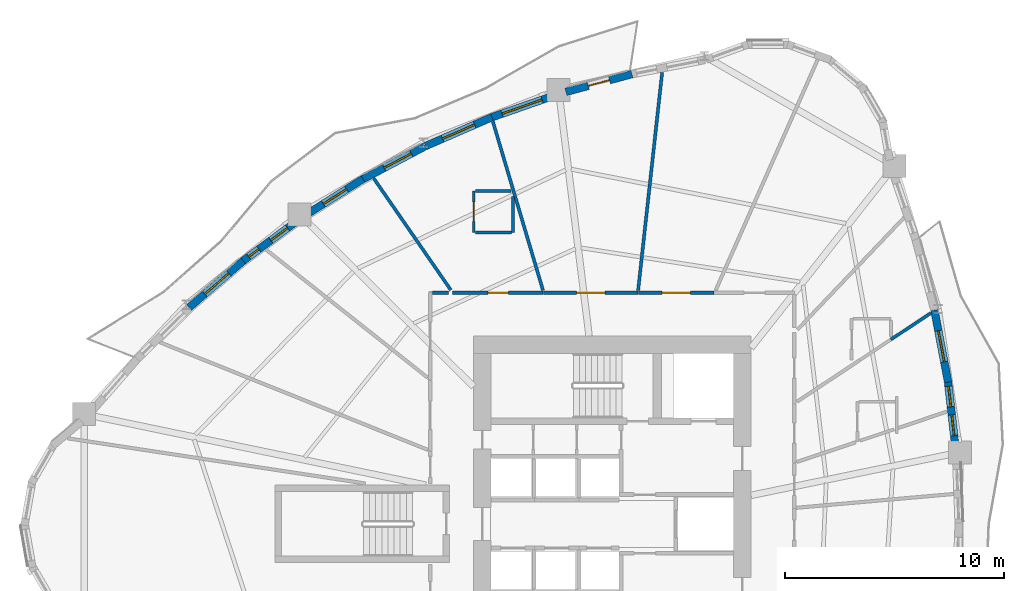
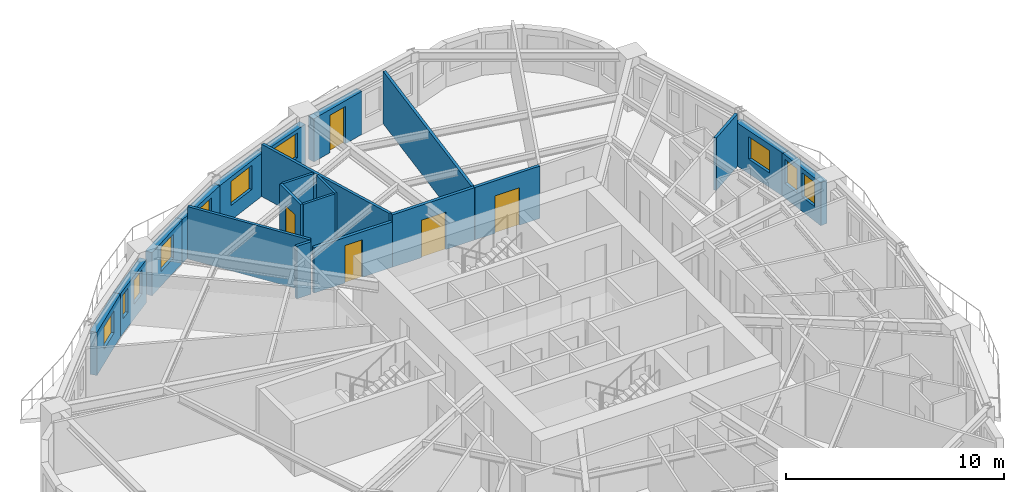
# One storey, part 8 of 13: 21 walls, 10 windows, 5 doors, 15 openings.
"""IFC4 building model written with IfcOpenShell, lengths in metres."""

from ifc_helpers import new_model, si_unit, direction, frame, frame_2d, origin, place, context, subcontext, project, spatial, rectangle, extrude, source, transform, mapped, material, layer, layer_set, type_object, element, fill, save


model = new_model("IFC4")

# Units and contexts
model_context = context("Model", 3, precision=1e-05, world=origin(), true_north=direction((0.0, 1.0)))
body_context = subcontext(model_context, "Body", "Model", "MODEL_VIEW")
ifc_project = project(units=[si_unit("LENGTHUNIT", "METRE"), si_unit("AREAUNIT", "SQUARE_METRE"), si_unit("VOLUMEUNIT", "CUBIC_METRE"), si_unit("PLANEANGLEUNIT", "RADIAN"), si_unit("MASSUNIT", "GRAM", prefix="KILO")], contexts=[model_context])

# Site, building, storey
site_placement = place(None, origin())
site = spatial("IfcSite", under=ifc_project, at=site_placement, CompositionType="ELEMENT")
building_placement = place(site_placement, origin())
building = spatial("IfcBuilding", under=site, at=building_placement, Name="Qafzar Sky-Pleat Residences", CompositionType="ELEMENT")
storey_placement = place(building_placement, frame((0.0, 0.0, 55.800048828125)))
storey = spatial("IfcBuildingStorey", under=building, at=storey_placement, Name="L16", CompositionType="ELEMENT", Elevation=55.800048828125)

# Wall, opening, door
ifc_material_1 = material(Name="Acoustic gypsum plasterboard partition", Category="gypsum")
ifc_layer_1 = layer(ifc_material_1, 0.159912109375)
ifc_layer_set_1 = layer_set([ifc_layer_1], Name="Acoustic gypsum plasterboard partition")
wall_type_1 = type_object("IfcWallType", Name="PART-COR-160", PredefinedType="PARTITIONING", material=ifc_layer_set_1)
wall_1_placement = place(storey_placement, frame((27.19189453125, 36.580078125, 0.0), z_axis=(0.0, 0.0, 1.0), x_axis=(1.0, 0.0, 0.0)))
wall_1 = element("IfcWall", 1, at=wall_1_placement, inside=storey, type_object=wall_type_1, Name="L16 Partition Wall PART-L16-PW-002", PredefinedType="PARTITIONING", context=body_context, shape_type="SweptSolid", body=[
    extrude(rectangle(XDim=4.339111328125, YDim=0.159912109375, at=frame_2d((2.16943359375, 0.0))), origin(), (0.0, 0.0, 1.0), 2.93994140625),
])
opening_1_placement = place(wall_1_placement, frame((1.52001953125, 0.0, 0.0)))
opening_1 = element("IfcOpeningElement", 2, at=opening_1_placement, cuts=wall_1, Name="Opening ID-05", PredefinedType="OPENING", context=body_context, shape_type="SweptSolid", body=[
    extrude(rectangle(XDim=1.300048828125, YDim=2.10009765625, at=frame_2d((0.64990234375, 1.050048828125))), frame((0.0, 0.08984375, 0.0), z_axis=(0.0, -1.0, 0.0), x_axis=(1.0, 0.0, 0.0)), (0.0, 0.0, 1.0), 0.179931640625),
])
ifc_material_2 = material(Name="Timber-faced fire door", Category="wood")
door_type_1 = type_object("IfcDoorType", Name="DR-LNG-1300", OperationType="DOUBLE_DOOR_SINGLE_SWING", PredefinedType="DOOR", material=ifc_material_2)
shared_shape_1 = source(origin(), body_context, "Body", "SweptSolid", [
    extrude(rectangle(XDim=1.300048828125, YDim=2.10009765625, at=frame_2d((0.64990234375, 1.050048828125))), frame((0.0, 0.02490234375, 0.0), z_axis=(0.0, -1.0, 0.0), x_axis=(1.0, 0.0, 0.0)), (0.0, 0.0, 1.0), 0.050048828125),
])
door_1_placement = place(opening_1_placement, origin())
door_1 = element("IfcDoor", 3, at=door_1_placement, inside=storey, type_object=door_type_1, Name="L16 Graduate Lecture Room Door", OperationType="DOUBLE_DOOR_SINGLE_SWING", OverallHeight=2.10009765625, OverallWidth=1.300048828125, PredefinedType="DOOR", context=body_context, shape_type="MappedRepresentation", body=[
    mapped(shared_shape_1, transform((0.0, 0.0, 0.0), x_axis=(1.0, 0.0, 0.0), y_axis=(0.0, 1.0, 0.0), z_axis=(0.0, 0.0, 1.0), scale=1.0)),
])
fill(opening_1, door_1)

wall_2_placement = place(storey_placement, frame((23.02490234375, 36.580078125, 0.0), z_axis=(0.0, 0.0, 1.0), x_axis=(1.0, 0.0, 0.0)))
wall_2 = element("IfcWall", 4, at=wall_2_placement, inside=storey, type_object=wall_type_1, Name="L16 Partition Wall PART-L16-PW-003", PredefinedType="PARTITIONING", context=body_context, shape_type="SweptSolid", body=[
    extrude(rectangle(XDim=4.152099609375, YDim=0.159912109375, at=frame_2d((2.076171875, 0.0))), origin(), (0.0, 0.0, 1.0), 2.5478515625),
])
opening_2_placement = place(wall_2_placement, frame((1.640380859375, 0.0, 0.0)))
opening_2 = element("IfcOpeningElement", 5, at=opening_2_placement, cuts=wall_2, Name="Opening ID-04", PredefinedType="OPENING", context=body_context, shape_type="SweptSolid", body=[
    extrude(rectangle(XDim=0.919921875, YDim=2.10009765625, at=frame_2d((0.4599609375, 1.050048828125))), frame((0.0, 0.08984375, 0.0), z_axis=(0.0, -1.0, 0.0), x_axis=(1.0, 0.0, 0.0)), (0.0, 0.0, 1.0), 0.179931640625),
])
door_type_2 = type_object("IfcDoorType", Name="DR-BED-920", OperationType="NOTDEFINED", PredefinedType="DOOR", material=ifc_material_2)
shared_shape_2 = source(origin(), body_context, "Body", "SweptSolid", [
    extrude(rectangle(XDim=0.919921875, YDim=2.10009765625, at=frame_2d((0.4599609375, 1.050048828125))), frame((0.0, 0.02490234375, 0.0), z_axis=(0.0, -1.0, 0.0), x_axis=(1.0, 0.0, 0.0)), (0.0, 0.0, 1.0), 0.050048828125),
])
door_2_placement = place(opening_2_placement, origin())
door_2 = element("IfcDoor", 6, at=door_2_placement, inside=storey, type_object=door_type_2, Name="L16 Co-Living Bedroom 9 Door", OperationType="SINGLE_SWING_LEFT", OverallHeight=2.10009765625, OverallWidth=0.919921875, PredefinedType="DOOR", context=body_context, shape_type="MappedRepresentation", body=[
    mapped(shared_shape_2, transform((0.0, 0.0, 0.0), x_axis=(1.0, 0.0, 0.0), y_axis=(0.0, 1.0, 0.0), z_axis=(0.0, 0.0, 1.0), scale=1.0)),
])
fill(opening_2, door_2)

wall_3_placement = place(storey_placement, frame((31.5458984375, 36.580078125, 0.0), z_axis=(0.0, 0.0, 1.0), x_axis=(1.0, 0.0, 0.0)))
wall_3 = element("IfcWall", 7, at=wall_3_placement, inside=storey, type_object=wall_type_1, Name="L16 Partition Wall PART-L16-PW-006", PredefinedType="PARTITIONING", context=body_context, shape_type="SweptSolid", body=[
    extrude(rectangle(XDim=3.4501953125, YDim=0.159912109375, at=frame_2d((1.72509765625, 0.0))), origin(), (0.0, 0.0, 1.0), 2.93994140625),
])
opening_3_placement = place(wall_3_placement, frame((1.075439453125, 0.0, 0.0)))
opening_3 = element("IfcOpeningElement", 8, at=opening_3_placement, cuts=wall_3, Name="Opening ID-05", PredefinedType="OPENING", context=body_context, shape_type="SweptSolid", body=[
    extrude(rectangle(XDim=1.300048828125, YDim=2.10009765625, at=frame_2d((0.64990234375, 1.050048828125))), frame((0.0, 0.08984375, 0.0), z_axis=(0.0, -1.0, 0.0), x_axis=(1.0, 0.0, 0.0)), (0.0, 0.0, 1.0), 0.179931640625),
])
door_3_placement = place(opening_3_placement, origin())
door_3 = element("IfcDoor", 9, at=door_3_placement, inside=storey, type_object=door_type_1, Name="L16 Research Conference Room Door", OperationType="DOUBLE_DOOR_SINGLE_SWING", OverallHeight=2.10009765625, OverallWidth=1.300048828125, PredefinedType="DOOR", context=body_context, shape_type="MappedRepresentation", body=[
    mapped(shared_shape_1, transform((0.0, 0.0, 0.0), x_axis=(1.0, 0.0, 0.0), y_axis=(0.0, 1.0, 0.0), z_axis=(0.0, 0.0, 1.0), scale=1.0)),
])
fill(opening_3, door_3)

# Walls
wall_4_placement = place(storey_placement, frame((22.10791015625, 36.580078125, 0.0), z_axis=(0.0, 0.0, 1.0), x_axis=(1.0, 0.0, 0.0)))
element("IfcWall", 10, at=wall_4_placement, inside=storey, type_object=wall_type_1, Name="L16 Partition Wall PART-L16-PW-082", PredefinedType="PARTITIONING", context=body_context, shape_type="SweptSolid", body=[
    extrude(rectangle(XDim=0.750732421875, YDim=0.159912109375, at=frame_2d((0.37548828125, 0.0))), origin(), (0.0, 0.0, 1.0), 2.93994140625),
])
ifc_layer_2 = layer(ifc_material_1, 0.14501953125)
ifc_layer_set_2 = layer_set([ifc_layer_2], Name="Acoustic gypsum plasterboard partition")
wall_type_2 = type_object("IfcWallType", Name="PART-UNIT-145", PredefinedType="PARTITIONING", material=ifc_layer_set_2)
wall_5_placement = place(storey_placement, frame((31.526611328125, 36.67578125, 0.0), z_axis=(0.0, 0.0, 1.0), x_axis=(0.109575491405, 0.993978476469, 0.0)))
element("IfcWall", 11, at=wall_5_placement, inside=storey, type_object=wall_type_2, Name="L16 Partition Wall PART-L16-PW-037", PredefinedType="PARTITIONING", context=body_context, shape_type="SweptSolid", body=[
    extrude(rectangle(XDim=10.048583984375, YDim=0.14501953125, at=frame_2d((5.0244140625, 0.0))), origin(), (0.0, 0.0, 1.0), 2.93994140625),
])
wall_6_placement = place(storey_placement, frame((24.87939453125, 44.42236328125, 0.0), z_axis=(0.0, 0.0, 1.0), x_axis=(0.284634354208, -0.958636158511, 0.0)))
element("IfcWall", 12, at=wall_6_placement, inside=storey, type_object=wall_type_2, Name="L16 Partition Wall PART-L16-PW-043", PredefinedType="PARTITIONING", context=body_context, shape_type="SweptSolid", body=[
    extrude(rectangle(XDim=8.06787109375, YDim=0.14501953125, at=frame_2d((4.033935546875, 0.0))), origin(), (0.0, 0.0, 1.0), 2.93994140625),
])
wall_7_placement = place(storey_placement, frame((19.42333984375, 41.82275390625, 0.0), z_axis=(0.0, 0.0, 1.0), x_axis=(0.568159686118, -0.822918325881, 0.0)))
element("IfcWall", 13, at=wall_7_placement, inside=storey, type_object=wall_type_2, Name="L16 Partition Wall PART-L16-PW-048", PredefinedType="PARTITIONING", context=body_context, shape_type="SweptSolid", body=[
    extrude(rectangle(XDim=6.215576171875, YDim=0.14501953125, at=frame_2d((3.10791015625, 0.0))), origin(), (0.0, 0.0, 1.0), 2.93994140625),
])
wall_8_placement = place(storey_placement, frame((43.093994140625, 34.43896484375, 0.0), z_axis=(0.0, 0.0, 1.0), x_axis=(0.833690342454, 0.552232209219, 0.0)))
element("IfcWall", 14, at=wall_8_placement, inside=storey, type_object=wall_type_2, Name="L16 Partition Wall PART-L16-PW-059", PredefinedType="PARTITIONING", context=body_context, shape_type="SweptSolid", body=[
    extrude(rectangle(XDim=2.193603515625, YDim=0.14501953125, at=frame_2d((1.0966796875, 0.0))), origin(), (0.0, 0.0, 1.0), 2.93994140625),
])

# Wall, opening, door
ifc_material_3 = material(Name="Moisture-resistant gypsum partition", Category="gypsum")
ifc_layer_3 = layer(ifc_material_3, 0.1298828125)
ifc_layer_set_3 = layer_set([ifc_layer_3], Name="Moisture-resistant gypsum partition")
wall_type_3 = type_object("IfcWallType", Name="PART-WET-130", PredefinedType="PARTITIONING", material=ifc_layer_set_3)
wall_9_placement = place(storey_placement, frame((24.0029296875, 41.23388671875, 0.0), z_axis=(0.0, 0.0, 1.0), x_axis=(0.0, -1.0, 0.0)))
wall_9 = element("IfcWall", 15, at=wall_9_placement, inside=storey, type_object=wall_type_3, Name="L16 Partition Wall PART-L16-PW-024", PredefinedType="PARTITIONING", context=body_context, shape_type="SweptSolid", body=[
    extrude(rectangle(XDim=1.89990234375, YDim=0.1298828125, at=frame_2d((0.949951171875, 0.0))), origin(), (0.0, 0.0, 1.0), 2.93994140625),
])
opening_4_placement = place(wall_9_placement, frame((0.510009765625, 0.0, 0.0)))
opening_4 = element("IfcOpeningElement", 16, at=opening_4_placement, cuts=wall_9, Name="Opening ID-07", PredefinedType="OPENING", context=body_context, shape_type="SweptSolid", body=[
    extrude(rectangle(XDim=0.8798828125, YDim=2.050048828125, at=frame_2d((0.43994140625, 1.02490234375))), frame((0.0, 0.074951171875, 0.0), z_axis=(0.0, -1.0, 0.0), x_axis=(1.0, 0.0, 0.0)), (0.0, 0.0, 1.0), 0.14990234375),
])
door_type_3 = type_object("IfcDoorType", Name="DR-WET-880", OperationType="NOTDEFINED", PredefinedType="DOOR", material=ifc_material_2)
shared_shape_3 = source(origin(), body_context, "Body", "SweptSolid", [
    extrude(rectangle(XDim=0.8798828125, YDim=2.050048828125, at=frame_2d((0.43994140625, 1.02490234375))), frame((0.0, 0.02490234375, 0.0), z_axis=(0.0, -1.0, 0.0), x_axis=(1.0, 0.0, 0.0)), (0.0, 0.0, 1.0), 0.050048828125),
])
door_4_placement = place(opening_4_placement, origin())
door_4 = element("IfcDoor", 17, at=door_4_placement, inside=storey, type_object=door_type_3, Name="L16 En-suite Bathroom 9 Door", OperationType="SINGLE_SWING_RIGHT", OverallHeight=2.050048828125, OverallWidth=0.8798828125, PredefinedType="DOOR", context=body_context, shape_type="MappedRepresentation", body=[
    mapped(shared_shape_3, transform((0.0, 0.0, 0.0), x_axis=(1.0, 0.0, 0.0), y_axis=(0.0, 1.0, 0.0), z_axis=(0.0, 0.0, 1.0), scale=1.0)),
])
fill(opening_4, door_4)

# Walls
wall_10_placement = place(storey_placement, frame((25.802978515625, 39.333984375, 0.0), z_axis=(0.0, 0.0, 1.0), x_axis=(0.0, 1.0, 0.0)))
element("IfcWall", 18, at=wall_10_placement, inside=storey, type_object=wall_type_3, Name="L16 Partition Wall PART-L16-PW-061", PredefinedType="PARTITIONING", context=body_context, shape_type="SweptSolid", body=[
    extrude(rectangle(XDim=1.659912109375, YDim=0.1298828125, at=frame_2d((0.830078125, 0.0))), origin(), (0.0, 0.0, 1.0), 2.93994140625),
])
wall_11_placement = place(storey_placement, frame((24.075927734375, 41.23388671875, 0.0), z_axis=(0.0, 0.0, 1.0), x_axis=(1.0, 0.0, 0.0)))
element("IfcWall", 19, at=wall_11_placement, inside=storey, type_object=wall_type_3, Name="L16 Partition Wall PART-L16-PW-066", PredefinedType="PARTITIONING", context=body_context, shape_type="SweptSolid", body=[
    extrude(rectangle(XDim=1.624267578125, YDim=0.1298828125, at=frame_2d((0.81201171875, 0.0))), origin(), (0.0, 0.0, 1.0), 2.93994140625),
])
wall_12_placement = place(storey_placement, frame((24.075927734375, 39.333984375, 0.0), z_axis=(0.0, 0.0, 1.0), x_axis=(1.0, 0.0, 0.0)))
element("IfcWall", 20, at=wall_12_placement, inside=storey, type_object=wall_type_3, Name="L16 Partition Wall PART-L16-PW-067", PredefinedType="PARTITIONING", context=body_context, shape_type="SweptSolid", body=[
    extrude(rectangle(XDim=1.654052734375, YDim=0.1298828125, at=frame_2d((0.8271484375, 0.0))), origin(), (0.0, 0.0, 1.0), 2.93994140625),
])

# Wall, openings, windows
ifc_material_4 = material(Name="Precast concrete C40/50 with honed Riyadh limestone", Category="concrete")
ifc_layer_4 = layer(ifc_material_4, 0.35009765625)
ifc_layer_set_4 = layer_set([ifc_layer_4], Name="Precast concrete C40/50 with honed Riyadh limestone")
wall_type_4 = type_object("IfcWallType", Name="WALL-EXT-350", PredefinedType="SOLIDWALL", material=ifc_layer_set_4)
wall_13_placement = place(storey_placement, frame((46.044189453125, 29.55615234375, 0.0), z_axis=(0.0, 0.0, 1.0), x_axis=(-0.113263196818, 0.993565019637, 0.0)))
wall_13 = element("IfcWall", 21, at=wall_13_placement, inside=storey, type_object=wall_type_4, Name="L16 Limestone Facade Wall 29", PredefinedType="SOLIDWALL", context=body_context, shape_type="SweptSolid", body=[
    extrude(rectangle(XDim=3.037109375, YDim=0.35009765625, at=frame_2d((1.5185546875, 0.0))), origin(), (0.0, 0.0, 1.0), 2.419921875),
])
opening_5_placement = place(wall_13_placement, frame((0.492431640625, 0.0, 0.820068359375)))
opening_5 = element("IfcOpeningElement", 22, at=opening_5_placement, cuts=wall_13, Name="Opening WN-12", PredefinedType="OPENING", context=body_context, shape_type="SweptSolid", body=[
    extrude(rectangle(XDim=0.949951171875, YDim=1.35009765625, at=frame_2d((0.47509765625, 0.675048828125))), frame((0.0, 0.18505859375, 0.0), z_axis=(0.0, -1.0, 0.0), x_axis=(1.0, 0.0, 0.0)), (0.0, 0.0, 1.0), 0.3701171875),
])
opening_6_placement = place(wall_13_placement, frame((1.816162109375, 0.0, 0.820068359375)))
opening_6 = element("IfcOpeningElement", 23, at=opening_6_placement, cuts=wall_13, Name="Opening WN-12", PredefinedType="OPENING", context=body_context, shape_type="SweptSolid", body=[
    extrude(rectangle(XDim=0.949951171875, YDim=1.35009765625, at=frame_2d((0.47509765625, 0.675048828125))), frame((0.0, 0.18505859375, 0.0), z_axis=(0.0, -1.0, 0.0), x_axis=(1.0, 0.0, 0.0)), (0.0, 0.0, 1.0), 0.3701171875),
])
ifc_material_5 = material(Name="Solar-control low-E glass in bronze aluminium frame", Category="glass")
window_type_1 = type_object("IfcWindowType", Name="WIN-12", PartitioningType="SINGLE_PANEL", PredefinedType="WINDOW", material=ifc_material_5)
shared_shape_4 = source(origin(), body_context, "Body", "SweptSolid", [
    extrude(rectangle(XDim=0.949951171875, YDim=1.35009765625, at=frame_2d((0.47509765625, 0.675048828125))), frame((0.0, 0.030029296875, 0.0), z_axis=(0.0, -1.0, 0.0), x_axis=(1.0, 0.0, 0.0)), (0.0, 0.0, 1.0), 0.06005859375),
])
window_1_placement = place(opening_5_placement, origin())
window_1 = element("IfcWindow", 24, at=window_1_placement, inside=storey, type_object=window_type_1, Name="L16 Punched Facade Window 29", OverallHeight=1.35009765625, OverallWidth=0.949951171875, PartitioningType="SINGLE_PANEL", PredefinedType="WINDOW", context=body_context, shape_type="MappedRepresentation", body=[
    mapped(shared_shape_4, transform((0.0, 0.0, 0.0), x_axis=(1.0, 0.0, 0.0), y_axis=(0.0, 1.0, 0.0), z_axis=(0.0, 0.0, 1.0), scale=1.0)),
])
fill(opening_5, window_1)
window_2_placement = place(opening_6_placement, origin())
window_2 = element("IfcWindow", 25, at=window_2_placement, inside=storey, type_object=window_type_1, Name="L16 Punched Facade Window 29-2", OverallHeight=1.35009765625, OverallWidth=0.949951171875, PartitioningType="SINGLE_PANEL", PredefinedType="WINDOW", context=body_context, shape_type="MappedRepresentation", body=[
    mapped(shared_shape_4, transform((0.0, 0.0, 0.0), x_axis=(1.0, 0.0, 0.0), y_axis=(0.0, 1.0, 0.0), z_axis=(0.0, 0.0, 1.0), scale=1.0)),
])
fill(opening_6, window_2)

# Wall, opening, window
wall_14_placement = place(storey_placement, frame((45.71337890625, 32.48583984375, 0.0), z_axis=(0.0, 0.0, 1.0), x_axis=(-0.186603748992, 0.982435260392, 0.0)))
wall_14 = element("IfcWall", 26, at=wall_14_placement, inside=storey, type_object=wall_type_4, Name="L16 Limestone Facade Wall 30", PredefinedType="SOLIDWALL", context=body_context, shape_type="SweptSolid", body=[
    extrude(rectangle(XDim=3.3544921875, YDim=0.35009765625, at=frame_2d((1.67724609375, 0.0))), origin(), (0.0, 0.0, 1.0), 2.419921875),
])
opening_7_placement = place(wall_14_placement, frame((0.94775390625, 0.0, 0.820068359375)))
opening_7 = element("IfcOpeningElement", 27, at=opening_7_placement, cuts=wall_14, Name="Opening WN-15", PredefinedType="OPENING", context=body_context, shape_type="SweptSolid", body=[
    extrude(rectangle(XDim=1.449951171875, YDim=1.25, at=frame_2d((0.72509765625, 0.625))), frame((0.0, 0.18505859375, 0.0), z_axis=(0.0, -1.0, 0.0), x_axis=(1.0, 0.0, 0.0)), (0.0, 0.0, 1.0), 0.3701171875),
])
window_type_2 = type_object("IfcWindowType", Name="WIN-15", PartitioningType="SINGLE_PANEL", PredefinedType="WINDOW", material=ifc_material_5)
shared_shape_5 = source(origin(), body_context, "Body", "SweptSolid", [
    extrude(rectangle(XDim=1.449951171875, YDim=1.25, at=frame_2d((0.72509765625, 0.625))), frame((0.0, 0.030029296875, 0.0), z_axis=(0.0, -1.0, 0.0), x_axis=(1.0, 0.0, 0.0)), (0.0, 0.0, 1.0), 0.06005859375),
])
window_3_placement = place(opening_7_placement, origin())
window_3 = element("IfcWindow", 28, at=window_3_placement, inside=storey, type_object=window_type_2, Name="L16 Punched Facade Window 30", OverallHeight=1.25, OverallWidth=1.449951171875, PartitioningType="SINGLE_PANEL", PredefinedType="WINDOW", context=body_context, shape_type="MappedRepresentation", body=[
    mapped(shared_shape_5, transform((0.0, 0.0, 0.0), x_axis=(1.0, 0.0, 0.0), y_axis=(0.0, 1.0, 0.0), z_axis=(0.0, 0.0, 1.0), scale=1.0)),
])
fill(opening_7, window_3)

# Wall, opening, door
wall_15_placement = place(storey_placement, frame((31.24560546875, 46.585205078125, 0.0), z_axis=(0.0, 0.0, 1.0), x_axis=(-0.965469506164, -0.260516089076, 0.0)))
wall_15 = element("IfcWall", 29, at=wall_15_placement, inside=storey, type_object=wall_type_4, Name="L16 Limestone Facade Wall 40", PredefinedType="SOLIDWALL", context=body_context, shape_type="SweptSolid", body=[
    extrude(rectangle(XDim=3.130126953125, YDim=0.35009765625, at=frame_2d((1.56494140625, 0.0))), origin(), (0.0, 0.0, 1.0), 2.419921875),
])
opening_8_placement = place(wall_15_placement, frame((1.06494140625, 0.0, 0.0)))
opening_8 = element("IfcOpeningElement", 30, at=opening_8_placement, cuts=wall_15, Name="Opening ED-05", PredefinedType="OPENING", context=body_context, shape_type="SweptSolid", body=[
    extrude(rectangle(XDim=1.0, YDim=2.10009765625, at=frame_2d((0.5, 1.050048828125))), frame((0.0, 0.18505859375, 0.0), z_axis=(0.0, -1.0, 0.0), x_axis=(1.0, 0.0, 0.0)), (0.0, 0.0, 1.0), 0.3701171875),
])
ifc_material_6 = material(Name="Glazed bronze aluminium door", Category="aluminium")
door_type_4 = type_object("IfcDoorType", Name="DR-BAL-1000", OperationType="NOTDEFINED", PredefinedType="DOOR", material=ifc_material_6)
shared_shape_6 = source(origin(), body_context, "Body", "SweptSolid", [
    extrude(rectangle(XDim=1.0, YDim=2.10009765625, at=frame_2d((0.5, 1.050048828125))), frame((0.0, 0.02490234375, 0.0), z_axis=(0.0, -1.0, 0.0), x_axis=(1.0, 0.0, 0.0)), (0.0, 0.0, 1.0), 0.050048828125),
])
door_5_placement = place(opening_8_placement, origin())
door_5 = element("IfcDoor", 31, at=door_5_placement, inside=storey, type_object=door_type_4, Name="L16 Glazed Balcony Door 2", OperationType="SINGLE_SWING_LEFT", OverallHeight=2.10009765625, OverallWidth=1.0, PredefinedType="DOOR", context=body_context, shape_type="MappedRepresentation", body=[
    mapped(shared_shape_6, transform((0.0, 0.0, 0.0), x_axis=(1.0, 0.0, 0.0), y_axis=(0.0, 1.0, 0.0), z_axis=(0.0, 0.0, 1.0), scale=1.0)),
])
fill(opening_8, door_5)

# Wall, opening, window
wall_16_placement = place(storey_placement, frame((27.662841796875, 45.596435546875, 0.0), z_axis=(0.0, 0.0, 1.0), x_axis=(-0.944134113087, -0.329561491236, 0.0)))
wall_16 = element("IfcWall", 32, at=wall_16_placement, inside=storey, type_object=wall_type_4, Name="L16 Limestone Facade Wall 41", PredefinedType="SOLIDWALL", context=body_context, shape_type="SweptSolid", body=[
    extrude(rectangle(XDim=3.07421875, YDim=0.35009765625, at=frame_2d((1.537109375, 0.0))), origin(), (0.0, 0.0, 1.0), 2.419921875),
])
opening_9_placement = place(wall_16_placement, frame((0.557373046875, 0.0, 0.820068359375)))
opening_9 = element("IfcOpeningElement", 33, at=opening_9_placement, cuts=wall_16, Name="Opening WN-08", PredefinedType="OPENING", context=body_context, shape_type="SweptSolid", body=[
    extrude(rectangle(XDim=1.949951171875, YDim=1.39990234375, at=frame_2d((0.97509765625, 0.699951171875))), frame((0.0, 0.18505859375, 0.0), z_axis=(0.0, -1.0, 0.0), x_axis=(1.0, 0.0, 0.0)), (0.0, 0.0, 1.0), 0.3701171875),
])
window_type_3 = type_object("IfcWindowType", Name="WIN-08", PartitioningType="DOUBLE_PANEL_VERTICAL", PredefinedType="WINDOW", material=ifc_material_5)
shared_shape_7 = source(origin(), body_context, "Body", "SweptSolid", [
    extrude(rectangle(XDim=1.949951171875, YDim=1.39990234375, at=frame_2d((0.97509765625, 0.699951171875))), frame((0.0, 0.030029296875, 0.0), z_axis=(0.0, -1.0, 0.0), x_axis=(1.0, 0.0, 0.0)), (0.0, 0.0, 1.0), 0.06005859375),
])
window_4_placement = place(opening_9_placement, origin())
window_4 = element("IfcWindow", 34, at=window_4_placement, inside=storey, type_object=window_type_3, Name="L16 Punched Facade Window 41", OverallHeight=1.39990234375, OverallWidth=1.949951171875, PartitioningType="SINGLE_PANEL", PredefinedType="WINDOW", context=body_context, shape_type="MappedRepresentation", body=[
    mapped(shared_shape_7, transform((0.0, 0.0, 0.0), x_axis=(1.0, 0.0, 0.0), y_axis=(0.0, 1.0, 0.0), z_axis=(0.0, 0.0, 1.0), scale=1.0)),
])
fill(opening_9, window_4)

wall_17_placement = place(storey_placement, frame((24.843017578125, 44.615478515625, 0.0), z_axis=(0.0, 0.0, 1.0), x_axis=(-0.917119193404, -0.398613076918, 0.0)))
wall_17 = element("IfcWall", 35, at=wall_17_placement, inside=storey, type_object=wall_type_4, Name="L16 Limestone Facade Wall 42", PredefinedType="SOLIDWALL", context=body_context, shape_type="SweptSolid", body=[
    extrude(rectangle(XDim=3.317138671875, YDim=0.35009765625, at=frame_2d((1.65869140625, 0.0))), origin(), (0.0, 0.0, 1.0), 2.419921875),
])
opening_10_placement = place(wall_17_placement, frame((0.86865234375, 0.0, 0.820068359375)))
opening_10 = element("IfcOpeningElement", 36, at=opening_10_placement, cuts=wall_17, Name="Opening WN-09", PredefinedType="OPENING", context=body_context, shape_type="SweptSolid", body=[
    extrude(rectangle(XDim=1.60009765625, YDim=1.35009765625, at=frame_2d((0.800048828125, 0.675048828125))), frame((0.0, 0.18505859375, 0.0), z_axis=(0.0, -1.0, 0.0), x_axis=(1.0, 0.0, 0.0)), (0.0, 0.0, 1.0), 0.3701171875),
])
window_type_4 = type_object("IfcWindowType", Name="WIN-09", PartitioningType="DOUBLE_PANEL_VERTICAL", PredefinedType="WINDOW", material=ifc_material_5)
shared_shape_8 = source(origin(), body_context, "Body", "SweptSolid", [
    extrude(rectangle(XDim=1.60009765625, YDim=1.35009765625, at=frame_2d((0.800048828125, 0.675048828125))), frame((0.0, 0.030029296875, 0.0), z_axis=(0.0, -1.0, 0.0), x_axis=(1.0, 0.0, 0.0)), (0.0, 0.0, 1.0), 0.06005859375),
])
window_5_placement = place(opening_10_placement, origin())
window_5 = element("IfcWindow", 37, at=window_5_placement, inside=storey, type_object=window_type_4, Name="L16 Punched Facade Window 42", OverallHeight=1.35009765625, OverallWidth=1.60009765625, PartitioningType="SINGLE_PANEL", PredefinedType="WINDOW", context=body_context, shape_type="MappedRepresentation", body=[
    mapped(shared_shape_8, transform((0.0, 0.0, 0.0), x_axis=(1.0, 0.0, 0.0), y_axis=(0.0, 1.0, 0.0), z_axis=(0.0, 0.0, 1.0), scale=1.0)),
])
fill(opening_10, window_5)

wall_18_placement = place(storey_placement, frame((21.77685546875, 43.281494140625, 0.0), z_axis=(0.0, 0.0, 1.0), x_axis=(-0.884381357857, -0.466765052113, 0.0)))
wall_18 = element("IfcWall", 38, at=wall_18_placement, inside=storey, type_object=wall_type_4, Name="L16 Limestone Facade Wall 43", PredefinedType="SOLIDWALL", context=body_context, shape_type="SweptSolid", body=[
    extrude(rectangle(XDim=3.29833984375, YDim=0.35009765625, at=frame_2d((1.649169921875, 0.0))), origin(), (0.0, 0.0, 1.0), 2.419921875),
])
opening_11_placement = place(wall_18_placement, frame((0.712646484375, 0.0, 0.820068359375)))
opening_11 = element("IfcOpeningElement", 39, at=opening_11_placement, cuts=wall_18, Name="Opening WN-10", PredefinedType="OPENING", context=body_context, shape_type="SweptSolid", body=[
    extrude(rectangle(XDim=1.39990234375, YDim=1.35009765625, at=frame_2d((0.699951171875, 0.675048828125))), frame((0.0, 0.18505859375, 0.0), z_axis=(0.0, -1.0, 0.0), x_axis=(1.0, 0.0, 0.0)), (0.0, 0.0, 1.0), 0.3701171875),
])
window_type_5 = type_object("IfcWindowType", Name="WIN-10", PartitioningType="SINGLE_PANEL", PredefinedType="WINDOW", material=ifc_material_5)
shared_shape_9 = source(origin(), body_context, "Body", "SweptSolid", [
    extrude(rectangle(XDim=1.39990234375, YDim=1.35009765625, at=frame_2d((0.699951171875, 0.675048828125))), frame((0.0, 0.030029296875, 0.0), z_axis=(0.0, -1.0, 0.0), x_axis=(1.0, 0.0, 0.0)), (0.0, 0.0, 1.0), 0.06005859375),
])
window_6_placement = place(opening_11_placement, origin())
window_6 = element("IfcWindow", 40, at=window_6_placement, inside=storey, type_object=window_type_5, Name="L16 Punched Facade Window 43", OverallHeight=1.35009765625, OverallWidth=1.39990234375, PartitioningType="SINGLE_PANEL", PredefinedType="WINDOW", context=body_context, shape_type="MappedRepresentation", body=[
    mapped(shared_shape_9, transform((0.0, 0.0, 0.0), x_axis=(1.0, 0.0, 0.0), y_axis=(0.0, 1.0, 0.0), z_axis=(0.0, 0.0, 1.0), scale=1.0)),
])
fill(opening_11, window_6)

wall_19_placement = place(storey_placement, frame((18.93701171875, 41.78662109375, 0.0), z_axis=(0.0, 0.0, 1.0), x_axis=(-0.84639489148, -0.532555807101, 0.0)))
wall_19 = element("IfcWall", 41, at=wall_19_placement, inside=storey, type_object=wall_type_4, Name="L16 Limestone Facade Wall 44", PredefinedType="SOLIDWALL", context=body_context, shape_type="SweptSolid", body=[
    extrude(rectangle(XDim=3.018310546875, YDim=0.35009765625, at=frame_2d((1.50927734375, 0.0))), origin(), (0.0, 0.0, 1.0), 2.419921875),
])
opening_12_placement = place(wall_19_placement, frame((0.88916015625, 0.0, 0.820068359375)))
opening_12 = element("IfcOpeningElement", 42, at=opening_12_placement, cuts=wall_19, Name="Opening WN-11", PredefinedType="OPENING", context=body_context, shape_type="SweptSolid", body=[
    extrude(rectangle(XDim=1.25, YDim=1.35009765625, at=frame_2d((0.625, 0.675048828125))), frame((0.0, 0.18505859375, 0.0), z_axis=(0.0, -1.0, 0.0), x_axis=(1.0, 0.0, 0.0)), (0.0, 0.0, 1.0), 0.3701171875),
])
window_type_6 = type_object("IfcWindowType", Name="WIN-11", PartitioningType="SINGLE_PANEL", PredefinedType="WINDOW", material=ifc_material_5)
shared_shape_10 = source(origin(), body_context, "Body", "SweptSolid", [
    extrude(rectangle(XDim=1.25, YDim=1.35009765625, at=frame_2d((0.625, 0.675048828125))), frame((0.0, 0.030029296875, 0.0), z_axis=(0.0, -1.0, 0.0), x_axis=(1.0, 0.0, 0.0)), (0.0, 0.0, 1.0), 0.06005859375),
])
window_7_placement = place(opening_12_placement, origin())
window_7 = element("IfcWindow", 43, at=window_7_placement, inside=storey, type_object=window_type_6, Name="L16 Punched Facade Window 44", OverallHeight=1.35009765625, OverallWidth=1.25, PartitioningType="SINGLE_PANEL", PredefinedType="WINDOW", context=body_context, shape_type="MappedRepresentation", body=[
    mapped(shared_shape_10, transform((0.0, 0.0, 0.0), x_axis=(1.0, 0.0, 0.0), y_axis=(0.0, 1.0, 0.0), z_axis=(0.0, 0.0, 1.0), scale=1.0)),
])
fill(opening_12, window_7)

# Wall, openings, windows
wall_20_placement = place(storey_placement, frame((15.898193359375, 39.8486328125, 0.0), z_axis=(0.0, 0.0, 1.0), x_axis=(-0.803775013519, -0.594933380844, 0.0)))
wall_20 = element("IfcWall", 44, at=wall_20_placement, inside=storey, type_object=wall_type_4, Name="L16 Limestone Facade Wall 45", PredefinedType="SOLIDWALL", context=body_context, shape_type="SweptSolid", body=[
    extrude(rectangle(XDim=3.037109375, YDim=0.35009765625, at=frame_2d((1.5185546875, 0.0))), origin(), (0.0, 0.0, 1.0), 2.419921875),
])
opening_13_placement = place(wall_20_placement, frame((0.51318359375, 0.0, 0.820068359375)))
opening_13 = element("IfcOpeningElement", 45, at=opening_13_placement, cuts=wall_20, Name="Opening WN-12", PredefinedType="OPENING", context=body_context, shape_type="SweptSolid", body=[
    extrude(rectangle(XDim=0.949951171875, YDim=1.35009765625, at=frame_2d((0.47509765625, 0.675048828125))), frame((0.0, 0.18505859375, 0.0), z_axis=(0.0, -1.0, 0.0), x_axis=(1.0, 0.0, 0.0)), (0.0, 0.0, 1.0), 0.3701171875),
])
opening_14_placement = place(wall_20_placement, frame((2.141845703125, 0.0, 0.820068359375)))
opening_14 = element("IfcOpeningElement", 46, at=opening_14_placement, cuts=wall_20, Name="Opening WN-17", PredefinedType="OPENING", context=body_context, shape_type="SweptSolid", body=[
    extrude(rectangle(XDim=0.580078125, YDim=1.35009765625, at=frame_2d((0.2900390625, 0.675048828125))), frame((0.0, 0.18505859375, 0.0), z_axis=(0.0, -1.0, 0.0), x_axis=(1.0, 0.0, 0.0)), (0.0, 0.0, 1.0), 0.3701171875),
])
window_8_placement = place(opening_13_placement, origin())
window_8 = element("IfcWindow", 47, at=window_8_placement, inside=storey, type_object=window_type_1, Name="L16 Punched Facade Window 45", OverallHeight=1.35009765625, OverallWidth=0.949951171875, PartitioningType="SINGLE_PANEL", PredefinedType="WINDOW", context=body_context, shape_type="MappedRepresentation", body=[
    mapped(shared_shape_4, transform((0.0, 0.0, 0.0), x_axis=(1.0, 0.0, 0.0), y_axis=(0.0, 1.0, 0.0), z_axis=(0.0, 0.0, 1.0), scale=1.0)),
])
fill(opening_13, window_8)
window_type_7 = type_object("IfcWindowType", Name="WIN-17", PartitioningType="SINGLE_PANEL", PredefinedType="WINDOW", material=ifc_material_5)
shared_shape_11 = source(origin(), body_context, "Body", "SweptSolid", [
    extrude(rectangle(XDim=0.580078125, YDim=1.35009765625, at=frame_2d((0.2900390625, 0.675048828125))), frame((0.0, 0.030029296875, 0.0), z_axis=(0.0, -1.0, 0.0), x_axis=(1.0, 0.0, 0.0)), (0.0, 0.0, 1.0), 0.06005859375),
])
window_9_placement = place(opening_14_placement, origin())
window_9 = element("IfcWindow", 48, at=window_9_placement, inside=storey, type_object=window_type_7, Name="L16 Punched Facade Window 45-2", OverallHeight=1.35009765625, OverallWidth=0.580078125, PartitioningType="SINGLE_PANEL", PredefinedType="WINDOW", context=body_context, shape_type="MappedRepresentation", body=[
    mapped(shared_shape_11, transform((0.0, 0.0, 0.0), x_axis=(1.0, 0.0, 0.0), y_axis=(0.0, 1.0, 0.0), z_axis=(0.0, 0.0, 1.0), scale=1.0)),
])
fill(opening_14, window_9)

# Wall, opening, window
wall_21_placement = place(storey_placement, frame((13.5263671875, 38.097412109375, 0.0), z_axis=(0.0, 0.0, 1.0), x_axis=(-0.757460843483, -0.652880594435, 0.0)))
wall_21 = element("IfcWall", 49, at=wall_21_placement, inside=storey, type_object=wall_type_4, Name="L16 Limestone Facade Wall 46", PredefinedType="SOLIDWALL", context=body_context, shape_type="SweptSolid", body=[
    extrude(rectangle(XDim=3.354736328125, YDim=0.35009765625, at=frame_2d((1.67724609375, 0.0))), origin(), (0.0, 0.0, 1.0), 2.419921875),
])
opening_15_placement = place(wall_21_placement, frame((0.96240234375, 0.0, 0.820068359375)))
opening_15 = element("IfcOpeningElement", 50, at=opening_15_placement, cuts=wall_21, Name="Opening WN-15", PredefinedType="OPENING", context=body_context, shape_type="SweptSolid", body=[
    extrude(rectangle(XDim=1.449951171875, YDim=1.25, at=frame_2d((0.72509765625, 0.625))), frame((0.0, 0.18505859375, 0.0), z_axis=(0.0, -1.0, 0.0), x_axis=(1.0, 0.0, 0.0)), (0.0, 0.0, 1.0), 0.3701171875),
])
window_10_placement = place(opening_15_placement, origin())
window_10 = element("IfcWindow", 51, at=window_10_placement, inside=storey, type_object=window_type_2, Name="L16 Punched Facade Window 46", OverallHeight=1.25, OverallWidth=1.449951171875, PartitioningType="SINGLE_PANEL", PredefinedType="WINDOW", context=body_context, shape_type="MappedRepresentation", body=[
    mapped(shared_shape_5, transform((0.0, 0.0, 0.0), x_axis=(1.0, 0.0, 0.0), y_axis=(0.0, 1.0, 0.0), z_axis=(0.0, 0.0, 1.0), scale=1.0)),
])
fill(opening_15, window_10)

save(model, "model.ifc")
